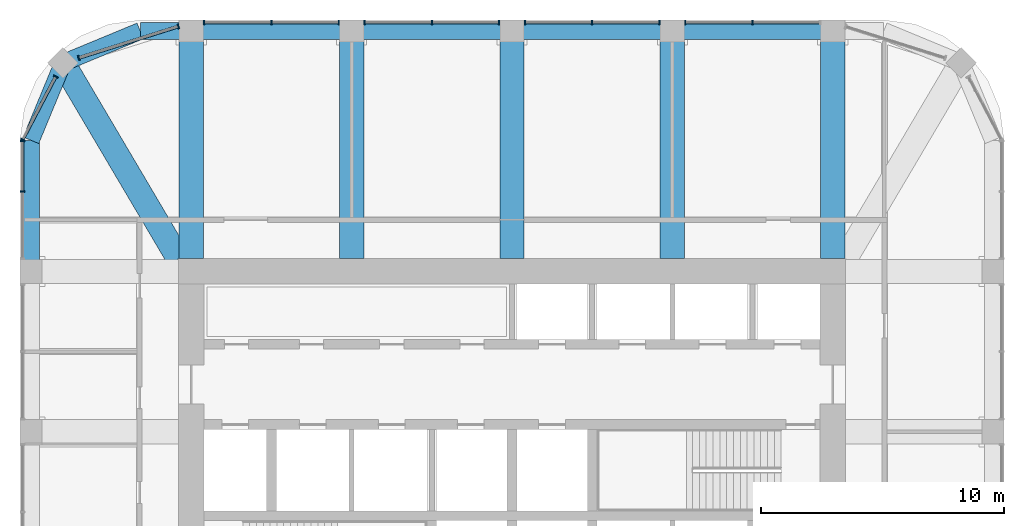
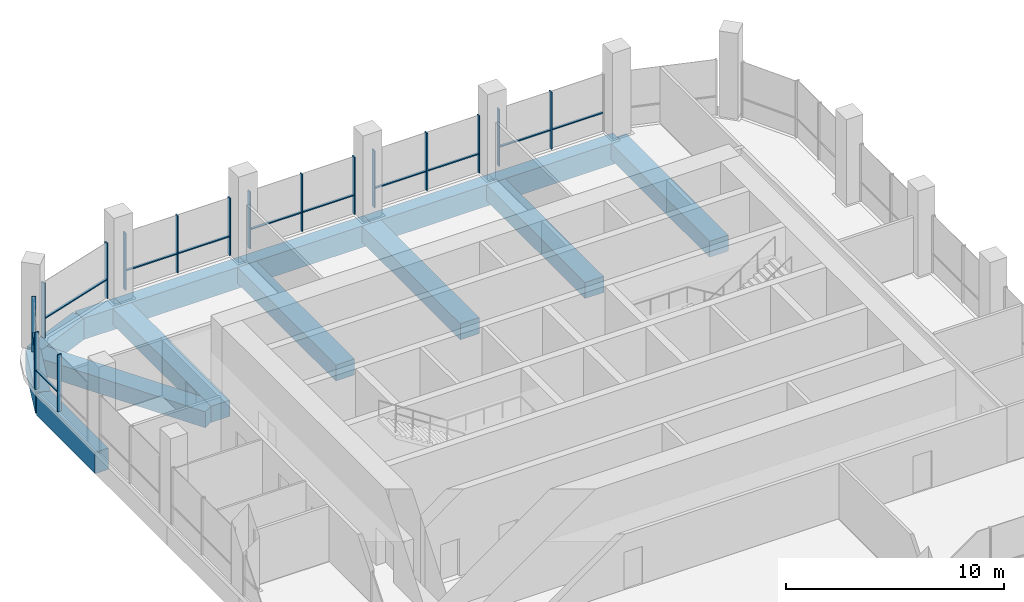
# One storey, part 5 of 13: 28 members, 14 beams, 7 elements without a shape of their own.
"""IFC4 building model written with IfcOpenShell, lengths in metres."""

from ifc_helpers import new_model, si_unit, direction, frame, origin, origin_2d, place, context, subcontext, project, spatial, rectangle, extrude, material, material_profile, profile_set, type_object, element, aggregate, save


model = new_model("IFC4")

# Units and contexts
model_context = context("Model", 3, precision=1e-05, world=origin(), true_north=direction((0.0, 1.0)))
body_context = subcontext(model_context, "Body", "Model", "MODEL_VIEW")
ifc_project = project(units=[si_unit("LENGTHUNIT", "METRE"), si_unit("AREAUNIT", "SQUARE_METRE"), si_unit("VOLUMEUNIT", "CUBIC_METRE"), si_unit("PLANEANGLEUNIT", "RADIAN"), si_unit("MASSUNIT", "GRAM", prefix="KILO")], contexts=[model_context])

# Site, building, storey
site_placement = place(None, origin())
site = spatial("IfcSite", under=ifc_project, at=site_placement, CompositionType="ELEMENT")
building_placement = place(site_placement, origin())
building = spatial("IfcBuilding", under=site, at=building_placement, Name="Cobogo Forest Laboratory Tower", CompositionType="ELEMENT")
storey_placement = place(building_placement, frame((0.0, 0.0, 288.0)))
storey = spatial("IfcBuildingStorey", under=building, at=storey_placement, Name="L66", CompositionType="ELEMENT", Elevation=288.0)

# Curtain wall, members
ifc_material_1 = material(Name="Aluminium curtain wall", Category="aluminium")
curtain_wall_type = type_object("IfcCurtainWallType", Name="CW-C stick curtain wall, crown glazing, conference floor and roof pavilion", PredefinedType="USERDEFINED", material=ifc_material_1)
curtain_wall_1_placement = place(storey_placement, origin())
curtain_wall_1 = element("IfcCurtainWall", 1, at=curtain_wall_1_placement, inside=storey, type_object=curtain_wall_type, Name="Curtain wall 14 L66", ObjectType="STICK CURTAIN WALL", PredefinedType="USERDEFINED")
ifc_material_2 = material(Name="Aluminium mullion", Category="aluminium")
ifc_material_profile_1 = material_profile(ifc_material_2, rectangle(XDim=0.06005859375, YDim=0.199951171875, at=origin_2d()), Name="AL 60x200")
ifc_profile_set_1 = profile_set([ifc_material_profile_1], Name="Aluminium mullion")
member_type_1 = type_object("IfcMemberType", Name="MU-2 aluminium mullion 60x200", PredefinedType="MULLION", material=ifc_profile_set_1)
member_1_placement = place(storey_placement, frame((36.300048828125, 43.25, 0.0), z_axis=(0.0, 0.0, 1.0), x_axis=(-1.0, 0.0, 0.0)))
member_1 = element("IfcMember", 2, at=member_1_placement, type_object=member_type_1, Name="CW-C mullion 2", PredefinedType="MULLION", context=body_context, shape_type="SweptSolid", body=[
    extrude(rectangle(XDim=0.06005859375, YDim=0.199951171875, at=origin_2d()), origin(), (0.0, 0.0, 1.0), 3.199951171875),
])
member_2_placement = place(storey_placement, frame((33.530029296875, 43.25, 0.0), z_axis=(0.0, 0.0, 1.0), x_axis=(-1.0, 0.0, 0.0)))
member_2 = element("IfcMember", 3, at=member_2_placement, type_object=member_type_1, Name="CW-C mullion 3", PredefinedType="MULLION", context=body_context, shape_type="SweptSolid", body=[
    extrude(rectangle(XDim=0.06005859375, YDim=0.199951171875, at=origin_2d()), origin(), (0.0, 0.0, 1.0), 3.199951171875),
])

curtain_wall_2_placement = place(storey_placement, origin())
curtain_wall_2 = element("IfcCurtainWall", 4, at=curtain_wall_2_placement, inside=storey, type_object=curtain_wall_type, Name="Curtain wall 15 L66", ObjectType="STICK CURTAIN WALL", PredefinedType="USERDEFINED")
member_3_placement = place(storey_placement, frame((32.469970703125, 43.25, 0.0), z_axis=(0.0, 0.0, 1.0), x_axis=(-1.0, 0.0, 0.0)))
member_3 = element("IfcMember", 5, at=member_3_placement, type_object=member_type_1, Name="CW-C mullion 1", PredefinedType="MULLION", context=body_context, shape_type="SweptSolid", body=[
    extrude(rectangle(XDim=0.06005859375, YDim=0.199951171875, at=origin_2d()), origin(), (0.0, 0.0, 1.0), 3.199951171875),
])
member_4_placement = place(storey_placement, frame((29.699951171875, 43.25, 0.0), z_axis=(0.0, 0.0, 1.0), x_axis=(-1.0, 0.0, 0.0)))
member_4 = element("IfcMember", 6, at=member_4_placement, type_object=member_type_1, Name="CW-C mullion 2", PredefinedType="MULLION", context=body_context, shape_type="SweptSolid", body=[
    extrude(rectangle(XDim=0.06005859375, YDim=0.199951171875, at=origin_2d()), origin(), (0.0, 0.0, 1.0), 3.199951171875),
])
member_5_placement = place(storey_placement, frame((26.929931640625, 43.25, 0.0), z_axis=(0.0, 0.0, 1.0), x_axis=(-1.0, 0.0, 0.0)))
member_5 = element("IfcMember", 7, at=member_5_placement, type_object=member_type_1, Name="CW-C mullion 3", PredefinedType="MULLION", context=body_context, shape_type="SweptSolid", body=[
    extrude(rectangle(XDim=0.06005859375, YDim=0.199951171875, at=origin_2d()), origin(), (0.0, 0.0, 1.0), 3.199951171875),
])

curtain_wall_3_placement = place(storey_placement, origin())
curtain_wall_3 = element("IfcCurtainWall", 8, at=curtain_wall_3_placement, inside=storey, type_object=curtain_wall_type, Name="Curtain wall 16 L66", ObjectType="STICK CURTAIN WALL", PredefinedType="USERDEFINED")
member_6_placement = place(storey_placement, frame((25.8701171875, 43.25, 0.0), z_axis=(0.0, 0.0, 1.0), x_axis=(-1.0, 0.0, 0.0)))
member_6 = element("IfcMember", 9, at=member_6_placement, type_object=member_type_1, Name="CW-C mullion 1", PredefinedType="MULLION", context=body_context, shape_type="SweptSolid", body=[
    extrude(rectangle(XDim=0.06005859375, YDim=0.199951171875, at=origin_2d()), origin(), (0.0, 0.0, 1.0), 3.199951171875),
])
member_7_placement = place(storey_placement, frame((23.10009765625, 43.25, 0.0), z_axis=(0.0, 0.0, 1.0), x_axis=(-1.0, 0.0, 0.0)))
member_7 = element("IfcMember", 10, at=member_7_placement, type_object=member_type_1, Name="CW-C mullion 2", PredefinedType="MULLION", context=body_context, shape_type="SweptSolid", body=[
    extrude(rectangle(XDim=0.06005859375, YDim=0.199951171875, at=origin_2d()), origin(), (0.0, 0.0, 1.0), 3.199951171875),
])
member_8_placement = place(storey_placement, frame((20.330078125, 43.25, 0.0), z_axis=(0.0, 0.0, 1.0), x_axis=(-1.0, 0.0, 0.0)))
member_8 = element("IfcMember", 11, at=member_8_placement, type_object=member_type_1, Name="CW-C mullion 3", PredefinedType="MULLION", context=body_context, shape_type="SweptSolid", body=[
    extrude(rectangle(XDim=0.06005859375, YDim=0.199951171875, at=origin_2d()), origin(), (0.0, 0.0, 1.0), 3.199951171875),
])

curtain_wall_4_placement = place(storey_placement, origin())
curtain_wall_4 = element("IfcCurtainWall", 12, at=curtain_wall_4_placement, inside=storey, type_object=curtain_wall_type, Name="Curtain wall 17 L66", ObjectType="STICK CURTAIN WALL", PredefinedType="USERDEFINED")
member_9_placement = place(storey_placement, frame((19.27001953125, 43.25, 0.0), z_axis=(0.0, 0.0, 1.0), x_axis=(-1.0, 0.0, 0.0)))
member_9 = element("IfcMember", 13, at=member_9_placement, type_object=member_type_1, Name="CW-C mullion 1", PredefinedType="MULLION", context=body_context, shape_type="SweptSolid", body=[
    extrude(rectangle(XDim=0.06005859375, YDim=0.199951171875, at=origin_2d()), origin(), (0.0, 0.0, 1.0), 3.199951171875),
])
member_10_placement = place(storey_placement, frame((16.5, 43.25, 0.0), z_axis=(0.0, 0.0, 1.0), x_axis=(-1.0, 0.0, 0.0)))
member_10 = element("IfcMember", 14, at=member_10_placement, type_object=member_type_1, Name="CW-C mullion 2", PredefinedType="MULLION", context=body_context, shape_type="SweptSolid", body=[
    extrude(rectangle(XDim=0.06005859375, YDim=0.199951171875, at=origin_2d()), origin(), (0.0, 0.0, 1.0), 3.199951171875),
])
member_11_placement = place(storey_placement, frame((13.72998046875, 43.25, 0.0), z_axis=(0.0, 0.0, 1.0), x_axis=(-1.0, 0.0, 0.0)))
member_11 = element("IfcMember", 15, at=member_11_placement, type_object=member_type_1, Name="CW-C mullion 3", PredefinedType="MULLION", context=body_context, shape_type="SweptSolid", body=[
    extrude(rectangle(XDim=0.06005859375, YDim=0.199951171875, at=origin_2d()), origin(), (0.0, 0.0, 1.0), 3.199951171875),
])

curtain_wall_5_placement = place(storey_placement, origin())
curtain_wall_5 = element("IfcCurtainWall", 16, at=curtain_wall_5_placement, inside=storey, type_object=curtain_wall_type, Name="Curtain wall 18 L66", ObjectType="STICK CURTAIN WALL", PredefinedType="USERDEFINED")
member_12_placement = place(storey_placement, frame((12.67138671875, 43.0830078125, 0.0), z_axis=(0.0, 0.0, 1.0), x_axis=(-0.953581379409, -0.301135439371, 0.0)))
member_12 = element("IfcMember", 17, at=member_12_placement, type_object=member_type_1, Name="CW-C mullion 1", PredefinedType="MULLION", context=body_context, shape_type="SweptSolid", body=[
    extrude(rectangle(XDim=0.06005859375, YDim=0.199951171875, at=origin_2d()), origin(), (0.0, 0.0, 1.0), 3.10009765625),
])
member_13_placement = place(storey_placement, frame((8.570068359375, 41.787841796875, 0.0), z_axis=(0.0, 0.0, 1.0), x_axis=(-0.953581379409, -0.301135439371, 0.0)))
member_13 = element("IfcMember", 18, at=member_13_placement, type_object=member_type_1, Name="CW-C mullion 2", PredefinedType="MULLION", context=body_context, shape_type="SweptSolid", body=[
    extrude(rectangle(XDim=0.06005859375, YDim=0.199951171875, at=origin_2d()), origin(), (0.0, 0.0, 1.0), 3.10009765625),
])

curtain_wall_6_placement = place(storey_placement, origin())
curtain_wall_6 = element("IfcCurtainWall", 19, at=curtain_wall_6_placement, inside=storey, type_object=curtain_wall_type, Name="Curtain wall 19 L66", ObjectType="STICK CURTAIN WALL", PredefinedType="USERDEFINED")
member_14_placement = place(storey_placement, frame((7.6220703125, 41.017333984375, 0.0), z_axis=(0.0, 0.0, 1.0), x_axis=(-0.464283778337, -0.885686498245, 0.0)))
member_14 = element("IfcMember", 20, at=member_14_placement, type_object=member_type_1, Name="CW-C mullion 1", PredefinedType="MULLION", context=body_context, shape_type="SweptSolid", body=[
    extrude(rectangle(XDim=0.06005859375, YDim=0.199951171875, at=origin_2d()), origin(), (0.0, 0.0, 1.0), 3.10009765625),
])
member_15_placement = place(storey_placement, frame((6.263916015625, 38.426513671875, 0.0), z_axis=(0.0, 0.0, 1.0), x_axis=(-0.464283778337, -0.885686498245, 0.0)))
member_15 = element("IfcMember", 21, at=member_15_placement, type_object=member_type_1, Name="CW-C mullion 2", PredefinedType="MULLION", context=body_context, shape_type="SweptSolid", body=[
    extrude(rectangle(XDim=0.06005859375, YDim=0.199951171875, at=origin_2d()), origin(), (0.0, 0.0, 1.0), 3.10009765625),
])

curtain_wall_7_placement = place(storey_placement, origin())
curtain_wall_7 = element("IfcCurtainWall", 22, at=curtain_wall_7_placement, inside=storey, type_object=curtain_wall_type, Name="Curtain wall 20 L66", ObjectType="STICK CURTAIN WALL", PredefinedType="USERDEFINED")
member_16_placement = place(storey_placement, frame((6.25, 38.3701171875, 0.0), z_axis=(0.0, 0.0, 1.0), x_axis=(0.0, -1.0, 0.0)))
member_16 = element("IfcMember", 23, at=member_16_placement, type_object=member_type_1, Name="CW-C mullion 1", PredefinedType="MULLION", context=body_context, shape_type="SweptSolid", body=[
    extrude(rectangle(XDim=0.06005859375, YDim=0.199951171875, at=origin_2d()), origin(), (0.0, 0.0, 1.0), 3.199951171875),
])
member_17_placement = place(storey_placement, frame((6.25, 36.300048828125, 0.0), z_axis=(0.0, 0.0, 1.0), x_axis=(0.0, -1.0, 0.0)))
member_17 = element("IfcMember", 24, at=member_17_placement, type_object=member_type_1, Name="CW-C mullion 2", PredefinedType="MULLION", context=body_context, shape_type="SweptSolid", body=[
    extrude(rectangle(XDim=0.06005859375, YDim=0.199951171875, at=origin_2d()), origin(), (0.0, 0.0, 1.0), 3.199951171875),
])

# Beams
ifc_material_3 = material(Name="Concrete HA-40 (C40/50)", Category="concrete")
ifc_material_profile_2 = material_profile(ifc_material_3, rectangle(XDim=1.0, YDim=0.89990234375, at=origin_2d()), Name="RC 1000x900")
ifc_profile_set_2 = profile_set([ifc_material_profile_2], Name="Concrete HA-40 (C40/50)")
beam_type_1 = type_object("IfcBeamType", Name="Office floor wide beam 1000x900", PredefinedType="BEAM", material=ifc_profile_set_2)
for number, where, z_axis, x_axis, name in (
    (25, (13.199951171875, 33.52490234375, -0.75), (0.0, 1.0, 0.0), (-1.0, 0.0, 0.0), "RB2 R-3-N L66"),
    (26, (19.800048828125, 33.52490234375, -0.75), (0.0, 1.0, 0.0), (-1.0, 0.0, 0.0), "RB2 R-4-N L66"),
    (27, (26.39990234375, 33.52490234375, -0.75), (0.0, 1.0, 0.0), (-1.0, 0.0, 0.0), "RB2 R-5-N L66"),
    (28, (33.0, 33.52490234375, -0.75), (0.0, 1.0, 0.0), (-1.0, 0.0, 0.0), "RB2 R-6-N L66"),
    (29, (39.60009765625, 33.52490234375, -0.75), (0.0, 1.0, 0.0), (-1.0, 0.0, 0.0), "RB2 R-7-N L66"),
):
    element("IfcBeam", number, at=place(storey_placement, frame(where, z_axis=z_axis, x_axis=x_axis)), inside=storey, type_object=beam_type_1, Name=name, PredefinedType="BEAM", context=body_context, shape_type="SweptSolid", body=[
        extrude(rectangle(XDim=1.0, YDim=0.89990234375, at=origin_2d()), origin(), (0.0, 0.0, 1.0), 9.375),
    ])
beam_1_placement = place(storey_placement, frame((7.91796875, 41.58203125, -0.75), z_axis=(0.508416325908, -0.861111397875, 0.0), x_axis=(0.861111397875, 0.508416325908, 0.0)))
element("IfcBeam", 30, at=beam_1_placement, inside=storey, type_object=beam_type_1, Name="RB2 G-NW-D1 L66", PredefinedType="BEAM", context=body_context, shape_type="SweptSolid", body=[
    extrude(rectangle(XDim=1.0, YDim=0.89990234375, at=origin_2d()), origin(), (0.0, 0.0, 1.0), 9.356689453125),
])
ifc_material_profile_3 = material_profile(ifc_material_3, rectangle(XDim=0.699951171875, YDim=1.199951171875, at=origin_2d()), Name="RC 700x1200")
ifc_profile_set_3 = profile_set([ifc_material_profile_3], Name="Concrete HA-40 (C40/50)")
beam_type_2 = type_object("IfcBeamType", Name="Perimeter edge beam 700x1200", PredefinedType="BEAM", material=ifc_profile_set_3)
beam_2_placement = place(storey_placement, frame((13.199951171875, 42.89990234375, -0.89990234375), z_axis=(1.0, 0.0, 0.0), x_axis=(0.0, 1.0, 0.0)))
element("IfcBeam", 31, at=beam_2_placement, inside=storey, type_object=beam_type_2, Name="EB1 E-N1 L66", PredefinedType="BEAM", context=body_context, shape_type="SweptSolid", body=[
    extrude(rectangle(XDim=0.699951171875, YDim=1.199951171875, at=origin_2d()), origin(), (0.0, 0.0, 1.0), 6.60009765625),
])
beam_3_placement = place(storey_placement, frame((19.800048828125, 42.89990234375, -0.89990234375), z_axis=(1.0, 0.0, 0.0), x_axis=(0.0, 1.0, 0.0)))
element("IfcBeam", 32, at=beam_3_placement, inside=storey, type_object=beam_type_2, Name="EB1 E-N2 L66", PredefinedType="BEAM", context=body_context, shape_type="SweptSolid", body=[
    extrude(rectangle(XDim=0.699951171875, YDim=1.199951171875, at=origin_2d()), origin(), (0.0, 0.0, 1.0), 6.599853515625),
])
for number, where, z_axis, x_axis, name in (
    (33, (26.39990234375, 42.89990234375, -0.89990234375), (1.0, 0.0, 0.0), (0.0, 1.0, 0.0), "EB1 E-N3 L66"),
    (34, (33.0, 42.89990234375, -0.89990234375), (1.0, 0.0, 0.0), (0.0, 1.0, 0.0), "EB1 E-N4 L66"),
):
    element("IfcBeam", number, at=place(storey_placement, frame(where, z_axis=z_axis, x_axis=x_axis)), inside=storey, type_object=beam_type_2, Name=name, PredefinedType="BEAM", context=body_context, shape_type="SweptSolid", body=[
        extrude(rectangle(XDim=0.699951171875, YDim=1.199951171875, at=origin_2d()), origin(), (0.0, 0.0, 1.0), 6.60009765625),
    ])
beam_4_placement = place(storey_placement, frame((13.199951171875, 42.89990234375, -0.89990234375), z_axis=(-1.0, 0.0, 0.0), x_axis=(0.0, -1.0, 0.0)))
element("IfcBeam", 35, at=beam_4_placement, inside=storey, type_object=beam_type_2, Name="EB1 E-NWN1 L66", PredefinedType="BEAM", context=body_context, shape_type="SweptSolid", body=[
    extrude(rectangle(XDim=0.699951171875, YDim=1.199951171875, at=origin_2d()), origin(), (0.0, 0.0, 1.0), 2.099853515625),
])
beam_5_placement = place(storey_placement, frame((11.10009765625, 42.89990234375, -0.89990234375), z_axis=(-0.923901072997, -0.382631424892, 0.0), x_axis=(0.382631424892, -0.923901072997, 0.0)))
element("IfcBeam", 36, at=beam_5_placement, inside=storey, type_object=beam_type_2, Name="EB1 E-NWN2 L66", PredefinedType="BEAM", context=body_context, shape_type="SweptSolid", body=[
    extrude(rectangle(XDim=0.699951171875, YDim=1.199951171875, at=origin_2d()), origin(), (0.0, 0.0, 1.0), 3.4443359375),
])
beam_6_placement = place(storey_placement, frame((6.60009765625, 33.0, -0.89990234375), z_axis=(0.0, 1.0, 0.0), x_axis=(-1.0, 0.0, 0.0)))
element("IfcBeam", 37, at=beam_6_placement, inside=storey, type_object=beam_type_2, Name="EB1 E-NWW1 L66", PredefinedType="BEAM", context=body_context, shape_type="SweptSolid", body=[
    extrude(rectangle(XDim=0.699951171875, YDim=1.199951171875, at=origin_2d()), origin(), (0.0, 0.0, 1.0), 5.39990234375),
])
beam_7_placement = place(storey_placement, frame((6.60009765625, 38.39990234375, -0.89990234375), z_axis=(0.382631424892, 0.923901072997, 0.0), x_axis=(-0.923901072997, 0.382631424892, 0.0)))
element("IfcBeam", 38, at=beam_7_placement, inside=storey, type_object=beam_type_2, Name="EB1 E-NWW2 L66", PredefinedType="BEAM", context=body_context, shape_type="SweptSolid", body=[
    extrude(rectangle(XDim=0.699951171875, YDim=1.199951171875, at=origin_2d()), origin(), (0.0, 0.0, 1.0), 3.4443359375),
])

# Member
ifc_material_4 = material(Name="Aluminium transom", Category="aluminium")
ifc_material_profile_4 = material_profile(ifc_material_4, rectangle(XDim=0.1201171875, YDim=0.06005859375, at=origin_2d()), Name="AL 60x120")
ifc_profile_set_4 = profile_set([ifc_material_profile_4], Name="Aluminium transom")
member_type_2 = type_object("IfcMemberType", Name="TR-1 aluminium transom 60x120", PredefinedType="USERDEFINED", material=ifc_profile_set_4)
member_18_placement = place(storey_placement, frame((39.0400390625, 43.25, 1.050048828125), z_axis=(-1.0, 0.0, 0.0), x_axis=(0.0, -1.0, 0.0)))
member_18 = element("IfcMember", 39, at=member_18_placement, type_object=member_type_2, Name="CW-C transom 1.1", ObjectType="TRANSOM", PredefinedType="USERDEFINED", context=body_context, shape_type="SweptSolid", body=[
    extrude(rectangle(XDim=0.1201171875, YDim=0.06005859375, at=origin_2d()), origin(), (0.0, 0.0, 1.0), 2.7099609375),
])

member_19_placement = place(storey_placement, frame((36.27001953125, 43.25, 1.050048828125), z_axis=(-1.0, 0.0, 0.0), x_axis=(0.0, -1.0, 0.0)))
member_19 = element("IfcMember", 40, at=member_19_placement, type_object=member_type_2, Name="CW-C transom 2.1", ObjectType="TRANSOM", PredefinedType="USERDEFINED", context=body_context, shape_type="SweptSolid", body=[
    extrude(rectangle(XDim=0.1201171875, YDim=0.06005859375, at=origin_2d()), origin(), (0.0, 0.0, 1.0), 2.7099609375),
])

aggregate(curtain_wall_1, [member_1, member_2, member_18, member_19])

member_20_placement = place(storey_placement, frame((32.43994140625, 43.25, 1.050048828125), z_axis=(-1.0, 0.0, 0.0), x_axis=(0.0, -1.0, 0.0)))
member_20 = element("IfcMember", 41, at=member_20_placement, type_object=member_type_2, Name="CW-C transom 1.1", ObjectType="TRANSOM", PredefinedType="USERDEFINED", context=body_context, shape_type="SweptSolid", body=[
    extrude(rectangle(XDim=0.1201171875, YDim=0.06005859375, at=origin_2d()), origin(), (0.0, 0.0, 1.0), 2.7099609375),
])

member_21_placement = place(storey_placement, frame((29.669921875, 43.25, 1.050048828125), z_axis=(-1.0, 0.0, 0.0), x_axis=(0.0, -1.0, 0.0)))
member_21 = element("IfcMember", 42, at=member_21_placement, type_object=member_type_2, Name="CW-C transom 2.1", ObjectType="TRANSOM", PredefinedType="USERDEFINED", context=body_context, shape_type="SweptSolid", body=[
    extrude(rectangle(XDim=0.1201171875, YDim=0.06005859375, at=origin_2d()), origin(), (0.0, 0.0, 1.0), 2.7099609375),
])

aggregate(curtain_wall_2, [member_3, member_4, member_5, member_20, member_21])

member_22_placement = place(storey_placement, frame((25.840087890625, 43.25, 1.050048828125), z_axis=(-1.0, 0.0, 0.0), x_axis=(0.0, -1.0, 0.0)))
member_22 = element("IfcMember", 43, at=member_22_placement, type_object=member_type_2, Name="CW-C transom 1.1", ObjectType="TRANSOM", PredefinedType="USERDEFINED", context=body_context, shape_type="SweptSolid", body=[
    extrude(rectangle(XDim=0.1201171875, YDim=0.06005859375, at=origin_2d()), origin(), (0.0, 0.0, 1.0), 2.710205078125),
])

member_23_placement = place(storey_placement, frame((23.070068359375, 43.25, 1.050048828125), z_axis=(-1.0, 0.0, 0.0), x_axis=(0.0, -1.0, 0.0)))
member_23 = element("IfcMember", 44, at=member_23_placement, type_object=member_type_2, Name="CW-C transom 2.1", ObjectType="TRANSOM", PredefinedType="USERDEFINED", context=body_context, shape_type="SweptSolid", body=[
    extrude(rectangle(XDim=0.1201171875, YDim=0.06005859375, at=origin_2d()), origin(), (0.0, 0.0, 1.0), 2.7099609375),
])

aggregate(curtain_wall_3, [member_6, member_7, member_8, member_22, member_23])

member_24_placement = place(storey_placement, frame((19.239990234375, 43.25, 1.050048828125), z_axis=(-1.0, 0.0, 0.0), x_axis=(0.0, -1.0, 0.0)))
member_24 = element("IfcMember", 45, at=member_24_placement, type_object=member_type_2, Name="CW-C transom 1.1", ObjectType="TRANSOM", PredefinedType="USERDEFINED", context=body_context, shape_type="SweptSolid", body=[
    extrude(rectangle(XDim=0.1201171875, YDim=0.06005859375, at=origin_2d()), origin(), (0.0, 0.0, 1.0), 2.7099609375),
])

member_25_placement = place(storey_placement, frame((16.469970703125, 43.25, 1.050048828125), z_axis=(-1.0, 0.0, 0.0), x_axis=(0.0, -1.0, 0.0)))
member_25 = element("IfcMember", 46, at=member_25_placement, type_object=member_type_2, Name="CW-C transom 2.1", ObjectType="TRANSOM", PredefinedType="USERDEFINED", context=body_context, shape_type="SweptSolid", body=[
    extrude(rectangle(XDim=0.1201171875, YDim=0.06005859375, at=origin_2d()), origin(), (0.0, 0.0, 1.0), 2.7099609375),
])

aggregate(curtain_wall_4, [member_9, member_10, member_11, member_24, member_25])

member_26_placement = place(storey_placement, frame((12.642822265625, 43.073974609375, 1.050048828125), z_axis=(-0.953583535148, -0.30112861288, 0.0), x_axis=(0.30112861288, -0.953583535148, 0.0)))
member_26 = element("IfcMember", 47, at=member_26_placement, type_object=member_type_2, Name="CW-C transom 1.1", ObjectType="TRANSOM", PredefinedType="USERDEFINED", context=body_context, shape_type="SweptSolid", body=[
    extrude(rectangle(XDim=0.1201171875, YDim=0.06005859375, at=origin_2d()), origin(), (0.0, 0.0, 1.0), 4.240966796875),
])

aggregate(curtain_wall_5, [member_12, member_13, member_26])

member_27_placement = place(storey_placement, frame((7.608154296875, 40.99072265625, 1.050048828125), z_axis=(-0.46430944806, -0.885673041501, 0.0), x_axis=(0.885673041501, -0.46430944806, 0.0)))
member_27 = element("IfcMember", 48, at=member_27_placement, type_object=member_type_2, Name="CW-C transom 1.1", ObjectType="TRANSOM", PredefinedType="USERDEFINED", context=body_context, shape_type="SweptSolid", body=[
    extrude(rectangle(XDim=0.1201171875, YDim=0.06005859375, at=origin_2d()), origin(), (0.0, 0.0, 1.0), 2.865234375),
])

aggregate(curtain_wall_6, [member_14, member_15, member_27])

member_28_placement = place(storey_placement, frame((6.25, 38.340087890625, 1.050048828125), z_axis=(0.0, -1.0, 0.0), x_axis=(1.0, 0.0, 0.0)))
member_28 = element("IfcMember", 49, at=member_28_placement, type_object=member_type_2, Name="CW-C transom 1.1", ObjectType="TRANSOM", PredefinedType="USERDEFINED", context=body_context, shape_type="SweptSolid", body=[
    extrude(rectangle(XDim=0.1201171875, YDim=0.06005859375, at=origin_2d()), origin(), (0.0, 0.0, 1.0), 2.010009765625),
])

aggregate(curtain_wall_7, [member_16, member_17, member_28])

save(model, "model.ifc")
